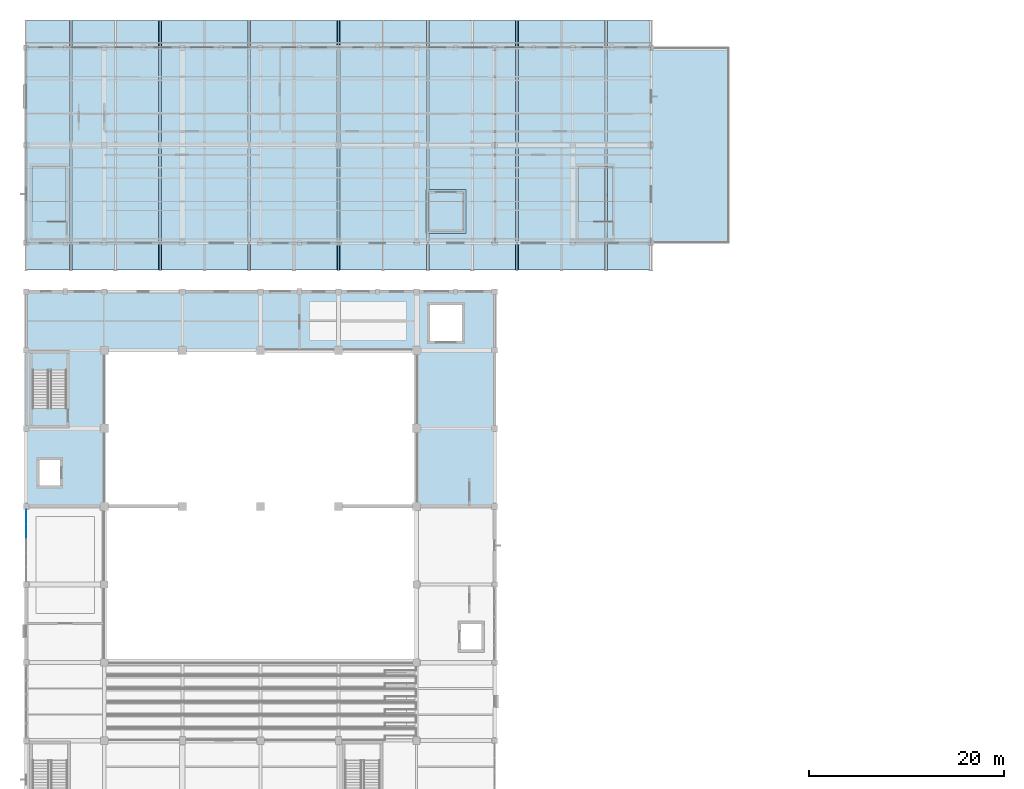
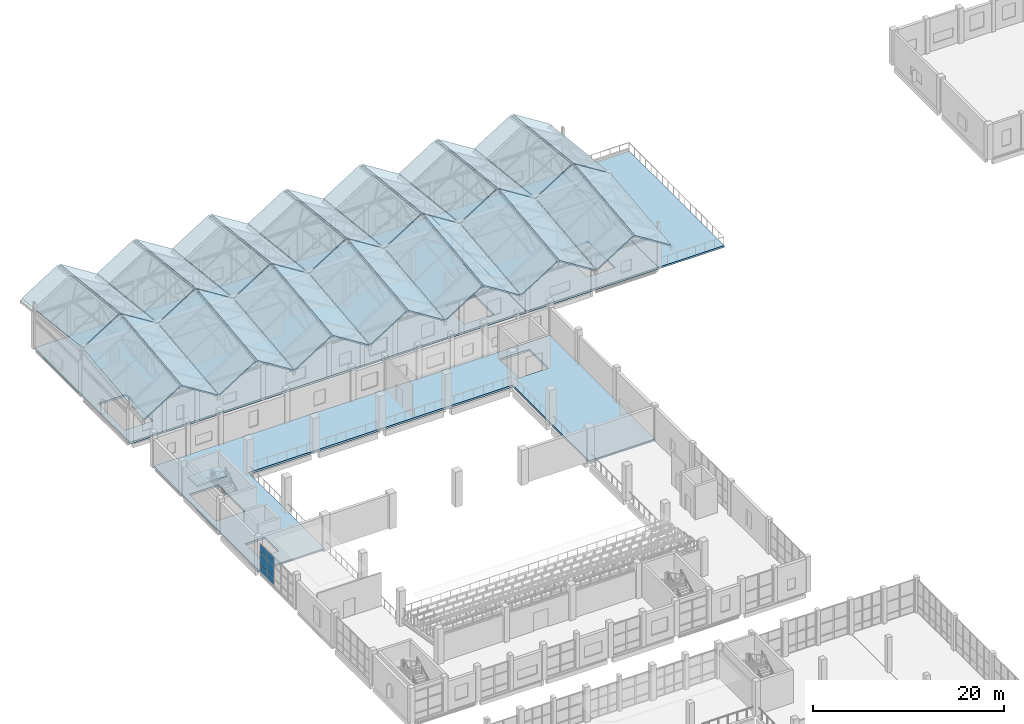
# One storey, part 123 of 183: 34 slabs, 6 plates, 2 elements without a shape of their own.
"""IFC4 building model written with IfcOpenShell, lengths in metres."""

from ifc_helpers import new_model, si_unit, direction, frame, origin, origin_2d, place, context, subcontext, project, spatial, polyline, rectangle, outline, extrude, material, layer, layer_set, type_object, element, aggregate, save


model = new_model("IFC4")

# Units and contexts
model_context = context("Model", 3, precision=1e-05, world=origin(), true_north=direction((0.0, 1.0)))
body_context = subcontext(model_context, "Body", "Model", "MODEL_VIEW")
ifc_project = project(units=[si_unit("LENGTHUNIT", "METRE"), si_unit("AREAUNIT", "SQUARE_METRE"), si_unit("VOLUMEUNIT", "CUBIC_METRE"), si_unit("PLANEANGLEUNIT", "RADIAN"), si_unit("MASSUNIT", "GRAM", prefix="KILO")], contexts=[model_context])

# Site, building, storey
site_placement = place(None, origin())
site = spatial("IfcSite", under=ifc_project, at=site_placement, CompositionType="ELEMENT")
building_placement = place(site_placement, origin())
building = spatial("IfcBuilding", under=site, at=building_placement, Name="Luwemba Playhouse", CompositionType="ELEMENT")
storey_placement = place(building_placement, frame((0.0, 0.0, 4.800048828125)))
storey = spatial("IfcBuildingStorey", under=building, at=storey_placement, Name="L01", CompositionType="ELEMENT", Elevation=4.800048828125)

# Curtain wall, plates
ifc_material_1 = material(Name="Solar-control double glazing", Category="glass")
curtain_wall_type = type_object("IfcCurtainWallType", Name="CW-CW72", PredefinedType="USERDEFINED", material=ifc_material_1)
curtain_wall_placement = place(storey_placement, origin())
curtain_wall = element("IfcCurtainWall", 1, at=curtain_wall_placement, inside=storey, type_object=curtain_wall_type, Name="L01 V1 unitised curtain wall 096", ObjectType="UNITISED GLAZING", PredefinedType="USERDEFINED")
ifc_layer_1 = layer(ifc_material_1, 0.031982421875)
ifc_layer_set_1 = layer_set([ifc_layer_1], Name="Solar-control double glazing")
plate_type = type_object("IfcPlateType", Name="CWP-P3", PredefinedType="CURTAIN_PANEL", material=ifc_layer_set_1)
plate_1_placement = place(storey_placement, frame((4.0, 65.47998046875, 0.06494140625), z_axis=(0.0, 0.0, 1.0), x_axis=(0.0, 1.0, 0.0)))
plate_1 = element("IfcPlate", 2, at=plate_1_placement, type_object=plate_type, Name="CW72 panel 4.1", PredefinedType="CURTAIN_PANEL", context=body_context, shape_type="SweptSolid", body=[
    extrude(rectangle(XDim=1.425048828125, YDim=0.031982421875, at=origin_2d()), origin(), (0.0, 0.0, 1.0), 0.802490234375),
])
plate_2_placement = place(storey_placement, frame((4.0, 65.47998046875, 0.9326171875), z_axis=(0.0, 0.0, 1.0), x_axis=(0.0, 1.0, 0.0)))
plate_2 = element("IfcPlate", 3, at=plate_2_placement, type_object=plate_type, Name="CW72 panel 4.2", PredefinedType="CURTAIN_PANEL", context=body_context, shape_type="SweptSolid", body=[
    extrude(rectangle(XDim=1.425048828125, YDim=0.031982421875, at=origin_2d()), origin(), (0.0, 0.0, 1.0), 1.485107421875),
])
plate_3_placement = place(storey_placement, frame((4.0, 65.47998046875, 2.482421875), z_axis=(0.0, 0.0, 1.0), x_axis=(0.0, 1.0, 0.0)))
plate_3 = element("IfcPlate", 4, at=plate_3_placement, type_object=plate_type, Name="CW72 panel 4.3", PredefinedType="CURTAIN_PANEL", context=body_context, shape_type="SweptSolid", body=[
    extrude(rectangle(XDim=1.425048828125, YDim=0.031982421875, at=origin_2d()), origin(), (0.0, 0.0, 1.0), 1.08740234375),
])
plate_4_placement = place(storey_placement, frame((4.0, 66.9462890625, 0.06494140625), z_axis=(0.0, 0.0, 1.0), x_axis=(0.0, 1.0, 0.0)))
plate_4 = element("IfcPlate", 5, at=plate_4_placement, type_object=plate_type, Name="CW72 panel 5.1", PredefinedType="CURTAIN_PANEL", context=body_context, shape_type="SweptSolid", body=[
    extrude(rectangle(XDim=1.3974609375, YDim=0.031982421875, at=origin_2d()), origin(), (0.0, 0.0, 1.0), 0.802490234375),
])
plate_5_placement = place(storey_placement, frame((4.0, 66.9462890625, 0.9326171875), z_axis=(0.0, 0.0, 1.0), x_axis=(0.0, 1.0, 0.0)))
plate_5 = element("IfcPlate", 6, at=plate_5_placement, type_object=plate_type, Name="CW72 panel 5.2", PredefinedType="CURTAIN_PANEL", context=body_context, shape_type="SweptSolid", body=[
    extrude(rectangle(XDim=1.3974609375, YDim=0.031982421875, at=origin_2d()), origin(), (0.0, 0.0, 1.0), 1.485107421875),
])
plate_6_placement = place(storey_placement, frame((4.0, 66.9462890625, 2.482421875), z_axis=(0.0, 0.0, 1.0), x_axis=(0.0, 1.0, 0.0)))
plate_6 = element("IfcPlate", 7, at=plate_6_placement, type_object=plate_type, Name="CW72 panel 5.3", PredefinedType="CURTAIN_PANEL", context=body_context, shape_type="SweptSolid", body=[
    extrude(rectangle(XDim=1.3974609375, YDim=0.031982421875, at=origin_2d()), origin(), (0.0, 0.0, 1.0), 1.08740234375),
])
aggregate(curtain_wall, [plate_1, plate_2, plate_3, plate_4, plate_5, plate_6])

# Slabs
ifc_material_2 = material(Name="Concrete C40/50", Category="concrete")
ifc_layer_2 = layer(ifc_material_2, 0.25)
ifc_layer_set_2 = layer_set([ifc_layer_2], Name="Concrete C40/50")
slab_type_1 = type_object("IfcSlabType", Name="SLB-FLR-250", PredefinedType="FLOOR", material=ifc_layer_set_2)
slab_1_placement = place(storey_placement, frame((0.0, 0.0, -0.25)))
element("IfcSlab", 8, at=slab_1_placement, inside=storey, type_object=slab_type_1, Name="L01 V2 structural floor slab", PredefinedType="FLOOR", context=body_context, shape_type="SweptSolid", body=[
    extrude(outline(polyline([(4.0, 90.0), (52.0, 90.0), (52.0, 68.0), (44.0, 68.0), (44.0, 84.0), (12.0, 84.0), (12.0, 68.0), (4.0, 68.0), (4.0, 90.0)]), holes=[polyline([(5.199951171875, 70.0), (7.60009765625, 70.0), (7.60009765625, 72.89990234375), (5.199951171875, 72.89990234375), (5.199951171875, 70.0)]), polyline([(8.14990234375, 78.0400390625), (8.14990234375, 83.659912109375), (4.64990234375, 83.659912109375), (4.64990234375, 78.0400390625), (8.14990234375, 78.0400390625)]), polyline([(45.199951171875, 84.800048828125), (48.800048828125, 84.800048828125), (48.800048828125, 88.800048828125), (45.199951171875, 88.800048828125), (45.199951171875, 84.800048828125)])]), origin(), (0.0, 0.0, 1.0), 0.25),
])
slab_2_placement = place(storey_placement, frame((0.0, 0.0, -0.25)))
element("IfcSlab", 9, at=slab_2_placement, inside=storey, type_object=slab_type_1, Name="L01 V6W structural floor slab", PredefinedType="FLOOR", context=body_context, shape_type="SweptSolid", body=[
    extrude(outline(polyline([(51.969970703125, 115.0), (51.969970703125, 95.0), (4.0, 95.0), (4.0, 115.0), (51.969970703125, 115.0)]), holes=[polyline([(48.800048828125, 96.199951171875), (48.800048828125, 100.199951171875), (45.199951171875, 100.199951171875), (45.199951171875, 96.199951171875), (48.800048828125, 96.199951171875)]), polyline([(8.050048828125, 97.199951171875), (8.050048828125, 102.820068359375), (4.64990234375, 102.820068359375), (4.64990234375, 97.199951171875), (8.050048828125, 97.199951171875)])]), origin(), (0.0, 0.0, 1.0), 0.25),
])
slab_3_placement = place(storey_placement, frame((0.0, 0.0, -0.25)))
element("IfcSlab", 10, at=slab_3_placement, inside=storey, type_object=slab_type_1, Name="L01 V6W structural floor slab-MJ", PredefinedType="FLOOR", context=body_context, shape_type="SweptSolid", body=[
    extrude(outline(polyline([(68.0, 115.0), (68.0, 95.0), (52.030029296875, 95.0), (52.030029296875, 115.0), (68.0, 115.0)]), holes=[polyline([(64.050048828125, 97.199951171875), (64.050048828125, 102.820068359375), (60.64990234375, 102.820068359375), (60.64990234375, 97.199951171875), (64.050048828125, 97.199951171875)])]), origin(), (0.0, 0.0, 1.0), 0.25),
])

# Stair, slab
stair_type = type_object("IfcStairType", Name="STR-DL-04", PredefinedType="HALF_TURN_STAIR", material=ifc_material_2)
stair_placement = place(storey_placement, origin())
stair = element("IfcStair", 11, at=stair_placement, inside=storey, type_object=stair_type, Name="L01 Stage House West Escape Stair", PredefinedType="HALF_TURN_STAIR")
ifc_layer_3 = layer(ifc_material_2, 0.215087890625)
ifc_layer_set_3 = layer_set([ifc_layer_3], Name="Concrete C40/50")
slab_type_2 = type_object("IfcSlabType", Name="SLB-LND-215", PredefinedType="LANDING", material=ifc_layer_set_3)
slab_4_placement = place(storey_placement, frame((0.0, 0.0, 2.050048828125)))
slab_4 = element("IfcSlab", 12, at=slab_4_placement, type_object=slab_type_2, Name="ST-03 landing 1", PredefinedType="LANDING", context=body_context, shape_type="SweptSolid", body=[
    extrude(outline(polyline([(8.2900390625, 81.820068359375), (4.510009765625, 81.820068359375), (4.510009765625, 83.800048828125), (8.2900390625, 83.800048828125), (8.2900390625, 81.820068359375)])), origin(), (0.0, 0.0, 1.0), 0.199951171875),
])
aggregate(stair, [slab_4])

# Slabs
ifc_material_3 = material(Name="Concrete C32/40", Category="concrete")
ifc_layer_4 = layer(ifc_material_3, 0.179931640625)
ifc_layer_set_4 = layer_set([ifc_layer_4], Name="Concrete C32/40")
slab_type_3 = type_object("IfcSlabType", Name="SLB-ROOF-180", PredefinedType="ROOF", material=ifc_layer_set_4)
slab_5_placement = place(storey_placement, frame((4.0400390625, 92.199951171875, 4.571044921875), z_axis=(-0.530454418523, -0.094497520021, 0.842430014054), x_axis=(0.846216846564, -1.870553e-06, 0.53283867032)))
element("IfcSlab", 13, at=slab_5_placement, inside=storey, type_object=slab_type_3, Name="RF-V6W pleated roof facet 1S", PredefinedType="ROOF", context=body_context, shape_type="SweptSolid", body=[
    extrude(outline(polyline([(0.0, 0.0), (5.195105371132732, 0.0), (5.9566141516511175, 12.797267909419737), (0.7613786929523892, 12.797248386376367), (0.0, 0.0)])), origin(), (0.0, 0.0, -1.0), 0.179931640625),
])
slab_6_placement = place(storey_placement, frame((4.0400390625, 105.06005859375, 6.0), z_axis=(-0.530454418523, 0.094497520021, 0.842430014054), x_axis=(0.846216657347, -1.870506e-06, 0.53283897082)))
element("IfcSlab", 14, at=slab_6_placement, inside=storey, type_object=slab_type_3, Name="RF-V6W pleated roof facet 1N", PredefinedType="ROOF", context=body_context, shape_type="SweptSolid", body=[
    extrude(outline(polyline([(0.0, 0.0), (5.195235458735411, 0.0), (4.43367858769438, 12.797265047674873), (-0.7614267834016708, 12.797245525120356), (0.0, 0.0)])), origin(), (0.0, 0.0, -1.0), 0.179931640625),
])
slab_7_placement = place(storey_placement, frame((8.706298828125, 92.199951171875, 7.339111328125), z_axis=(0.530433249982, -0.094498996575, 0.842443177288), x_axis=(0.846230188104, 1.870537e-06, -0.532817481637)))
element("IfcSlab", 15, at=slab_7_placement, inside=storey, type_object=slab_type_3, Name="RF-V6W pleated roof facet 2S", PredefinedType="ROOF", context=body_context, shape_type="SweptSolid", body=[
    extrude(outline(polyline([(0.0, 0.0), (5.195311971234588, 5.551115123125783e-17), (4.433963555754797, 12.797250187713786), (-0.7614784978727696, 12.797269711369998), (0.0, 0.0)])), origin(), (0.0, 0.0, -1.0), 0.179931640625),
])
slab_8_placement = place(storey_placement, frame((8.706298828125, 105.06005859375, 8.768310546875), z_axis=(0.530433249982, 0.094498996575, 0.842443177288), x_axis=(0.846229998894, 1.87049e-06, -0.532817782144)))
element("IfcSlab", 16, at=slab_8_placement, inside=storey, type_object=slab_type_3, Name="RF-V6W pleated roof facet 2N", PredefinedType="ROOF", context=body_context, shape_type="SweptSolid", body=[
    extrude(outline(polyline([(0.0, 0.0), (5.19544205366425, 0.0), (5.956838559197323, 12.797247326595517), (0.7615265879994181, 12.7972668497629), (0.0, 0.0)])), origin(), (0.0, 0.0, -1.0), 0.179931640625),
])
slab_9_placement = place(storey_placement, frame((13.182861328125, 92.199951171875, 4.571044921875), z_axis=(-0.530416035463, -0.094508169057, 0.842452987), x_axis=(0.846240687466, 0.0, 0.532800806002)))
element("IfcSlab", 17, at=slab_9_placement, inside=storey, type_object=slab_type_3, Name="RF-V6W pleated roof facet 3S", PredefinedType="ROOF", context=body_context, shape_type="SweptSolid", body=[
    extrude(outline(polyline([(0.0, 0.0), (5.195311972252382, 0.0), (5.956790467940387, 12.79726971191319), (0.7614784956880039, 12.797269711913192), (0.0, 0.0)])), origin(), (0.0, 0.0, -1.0), 0.179931640625),
])
slab_10_placement = place(storey_placement, frame((13.182861328125, 105.06005859375, 6.000244140625), z_axis=(-0.530416035463, 0.094508169057, 0.842452987), x_axis=(0.846240687466, 0.0, 0.532800806002)))
element("IfcSlab", 18, at=slab_10_placement, inside=storey, type_object=slab_type_3, Name="RF-V6W pleated roof facet 3N", PredefinedType="ROOF", context=body_context, shape_type="SweptSolid", body=[
    extrude(outline(polyline([(0.0, 0.0), (5.195311972252382, 0.0), (4.433833476564378, 12.797269711913192), (-0.7614784956880039, 12.797269711913192), (0.0, 0.0)])), origin(), (0.0, 0.0, -1.0), 0.179931640625),
])
slab_11_placement = place(storey_placement, frame((17.849365234375, 92.199951171875, 7.339111328125), z_axis=(0.530454418523, -0.094497520021, 0.842430014054), x_axis=(0.846216846564, 1.870553e-06, -0.53283867032)))
element("IfcSlab", 19, at=slab_11_placement, inside=storey, type_object=slab_type_3, Name="RF-V6W pleated roof facet 4S", PredefinedType="ROOF", context=body_context, shape_type="SweptSolid", body=[
    extrude(outline(polyline([(0.0, 0.0), (5.195105371132732, 0.0), (4.433726678180343, 12.797248386376367), (-0.7615087805183852, 12.797267909419737), (0.0, 0.0)])), origin(), (0.0, 0.0, -1.0), 0.179931640625),
])
slab_12_placement = place(storey_placement, frame((17.849365234375, 105.06005859375, 8.768310546875), z_axis=(0.530454418523, 0.094497520021, 0.842430014054), x_axis=(0.846216657347, 1.870506e-06, -0.53283897082)))
element("IfcSlab", 20, at=slab_12_placement, inside=storey, type_object=slab_type_3, Name="RF-V6W pleated roof facet 4N", PredefinedType="ROOF", context=body_context, shape_type="SweptSolid", body=[
    extrude(outline(polyline([(0.0, 0.0), (5.195235458735411, 0.0), (5.956662242137082, 12.797245525120358), (0.7615568710410311, 12.797265047674873), (0.0, 0.0)])), origin(), (0.0, 0.0, -1.0), 0.179931640625),
])
slab_13_placement = place(storey_placement, frame((22.32568359375, 92.199951171875, 4.571044921875), z_axis=(-0.530433249982, -0.094498996575, 0.842443177288), x_axis=(0.846230188104, -1.870537e-06, 0.532817481637)))
element("IfcSlab", 21, at=slab_13_placement, inside=storey, type_object=slab_type_3, Name="RF-V6W pleated roof facet 5S", PredefinedType="ROOF", context=body_context, shape_type="SweptSolid", body=[
    extrude(outline(polyline([(0.0, 0.0), (5.195311971234588, -5.551115123125783e-17), (5.956790469107357, 12.79726971137), (0.7613484154797917, 12.797250187713788), (0.0, 0.0)])), origin(), (0.0, 0.0, -1.0), 0.179931640625),
])
slab_14_placement = place(storey_placement, frame((22.32568359375, 105.06005859375, 6.0), z_axis=(-0.530433249982, 0.094498996575, 0.842443177288), x_axis=(0.846229998894, -1.87049e-06, 0.532817782144)))
element("IfcSlab", 22, at=slab_14_placement, inside=storey, type_object=slab_type_3, Name="RF-V6W pleated roof facet 5N", PredefinedType="ROOF", context=body_context, shape_type="SweptSolid", body=[
    extrude(outline(polyline([(0.0, 0.0), (5.19544205366425, 0.0), (4.433915465664832, 12.7972668497629), (-0.7613965055330743, 12.797247326595517), (0.0, 0.0)])), origin(), (0.0, 0.0, -1.0), 0.179931640625),
])
slab_15_placement = place(storey_placement, frame((26.9921875, 92.199951171875, 7.339111328125), z_axis=(0.530433249982, -0.094498996575, 0.842443177288), x_axis=(0.846230188104, 1.870537e-06, -0.532817481637)))
element("IfcSlab", 23, at=slab_15_placement, inside=storey, type_object=slab_type_3, Name="RF-V6W pleated roof facet 6S", PredefinedType="ROOF", context=body_context, shape_type="SweptSolid", body=[
    extrude(outline(polyline([(0.0, 0.0), (5.195311971234588, 5.551115123125783e-17), (4.433963555754797, 12.797250187713786), (-0.7614784978727696, 12.797269711369998), (0.0, 0.0)])), origin(), (0.0, 0.0, -1.0), 0.179931640625),
])
slab_16_placement = place(storey_placement, frame((26.9921875, 105.06005859375, 8.768310546875), z_axis=(0.530433249982, 0.094498996575, 0.842443177288), x_axis=(0.846229998894, 1.87049e-06, -0.532817782144)))
element("IfcSlab", 24, at=slab_16_placement, inside=storey, type_object=slab_type_3, Name="RF-V6W pleated roof facet 6N", PredefinedType="ROOF", context=body_context, shape_type="SweptSolid", body=[
    extrude(outline(polyline([(0.0, 0.0), (5.19544205366425, 0.0), (5.956838559197323, 12.797247326595517), (0.7615265879994181, 12.7972668497629), (0.0, 0.0)])), origin(), (0.0, 0.0, -1.0), 0.179931640625),
])
slab_17_placement = place(storey_placement, frame((31.468505859375, 92.199951171875, 4.571044921875), z_axis=(-0.530433249982, -0.094498996575, 0.842443177288), x_axis=(0.846230188104, -1.870537e-06, 0.532817481637)))
element("IfcSlab", 25, at=slab_17_placement, inside=storey, type_object=slab_type_3, Name="RF-V6W pleated roof facet 7S", PredefinedType="ROOF", context=body_context, shape_type="SweptSolid", body=[
    extrude(outline(polyline([(0.0, 0.0), (5.195311971234588, -5.551115123125783e-17), (5.956790469107357, 12.79726971137), (0.7613484154797917, 12.797250187713788), (0.0, 0.0)])), origin(), (0.0, 0.0, -1.0), 0.179931640625),
])
slab_18_placement = place(storey_placement, frame((31.468505859375, 105.06005859375, 6.0), z_axis=(-0.530433249982, 0.094498996575, 0.842443177288), x_axis=(0.846229998894, -1.87049e-06, 0.532817782144)))
element("IfcSlab", 26, at=slab_18_placement, inside=storey, type_object=slab_type_3, Name="RF-V6W pleated roof facet 7N", PredefinedType="ROOF", context=body_context, shape_type="SweptSolid", body=[
    extrude(outline(polyline([(0.0, 0.0), (5.19544205366425, 0.0), (4.433915465664832, 12.7972668497629), (-0.7613965055330743, 12.797247326595517), (0.0, 0.0)])), origin(), (0.0, 0.0, -1.0), 0.179931640625),
])
slab_19_placement = place(storey_placement, frame((36.135009765625, 92.199951171875, 7.339111328125), z_axis=(0.530433249982, -0.094498996575, 0.842443177288), x_axis=(0.846230188104, 1.870537e-06, -0.532817481637)))
element("IfcSlab", 27, at=slab_19_placement, inside=storey, type_object=slab_type_3, Name="RF-V6W pleated roof facet 8S", PredefinedType="ROOF", context=body_context, shape_type="SweptSolid", body=[
    extrude(outline(polyline([(0.0, 0.0), (5.195311971234588, 5.551115123125783e-17), (4.433963555754797, 12.797250187713786), (-0.7614784978727696, 12.797269711369998), (0.0, 0.0)])), origin(), (0.0, 0.0, -1.0), 0.179931640625),
])
slab_20_placement = place(storey_placement, frame((36.135009765625, 105.06005859375, 8.768310546875), z_axis=(0.530433249982, 0.094498996575, 0.842443177288), x_axis=(0.846229998894, 1.87049e-06, -0.532817782144)))
element("IfcSlab", 28, at=slab_20_placement, inside=storey, type_object=slab_type_3, Name="RF-V6W pleated roof facet 8N", PredefinedType="ROOF", context=body_context, shape_type="SweptSolid", body=[
    extrude(outline(polyline([(0.0, 0.0), (5.19544205366425, 0.0), (5.956838559197323, 12.797247326595517), (0.7615265879994181, 12.7972668497629), (0.0, 0.0)])), origin(), (0.0, 0.0, -1.0), 0.179931640625),
])
slab_21_placement = place(storey_placement, frame((40.611328125, 92.199951171875, 4.571044921875), z_axis=(-0.530433249982, -0.094498996575, 0.842443177288), x_axis=(0.846230188104, -1.870537e-06, 0.532817481637)))
element("IfcSlab", 29, at=slab_21_placement, inside=storey, type_object=slab_type_3, Name="RF-V6W pleated roof facet 9S", PredefinedType="ROOF", context=body_context, shape_type="SweptSolid", body=[
    extrude(outline(polyline([(0.0, 0.0), (5.195311971234588, -5.551115123125783e-17), (5.956790469107357, 12.79726971137), (0.7613484154797917, 12.797250187713788), (0.0, 0.0)])), origin(), (0.0, 0.0, -1.0), 0.179931640625),
])
slab_22_placement = place(storey_placement, frame((40.611328125, 105.06005859375, 6.0), z_axis=(-0.530433249982, 0.094498996575, 0.842443177288), x_axis=(0.846229998894, -1.87049e-06, 0.532817782144)))
element("IfcSlab", 30, at=slab_22_placement, inside=storey, type_object=slab_type_3, Name="RF-V6W pleated roof facet 9N", PredefinedType="ROOF", context=body_context, shape_type="SweptSolid", body=[
    extrude(outline(polyline([(0.0, 0.0), (5.19544205366425, 0.0), (4.433915465664832, 12.7972668497629), (-0.7613965055330743, 12.797247326595517), (0.0, 0.0)])), origin(), (0.0, 0.0, -1.0), 0.179931640625),
])
slab_23_placement = place(storey_placement, frame((45.27783203125, 92.199951171875, 7.339111328125), z_axis=(0.530433249982, -0.094498996575, 0.842443177288), x_axis=(0.846230188104, 1.870537e-06, -0.532817481637)))
element("IfcSlab", 31, at=slab_23_placement, inside=storey, type_object=slab_type_3, Name="RF-V6W pleated roof facet 10S", PredefinedType="ROOF", context=body_context, shape_type="SweptSolid", body=[
    extrude(outline(polyline([(0.0, 0.0), (5.195311971234588, 5.551115123125783e-17), (4.433963555754797, 12.797250187713786), (-0.7614784978727696, 12.797269711369998), (0.0, 0.0)])), origin(), (0.0, 0.0, -1.0), 0.179931640625),
])
slab_24_placement = place(storey_placement, frame((45.27783203125, 105.06005859375, 8.768310546875), z_axis=(0.530433249982, 0.094498996575, 0.842443177288), x_axis=(0.846229998894, 1.87049e-06, -0.532817782144)))
element("IfcSlab", 32, at=slab_24_placement, inside=storey, type_object=slab_type_3, Name="RF-V6W pleated roof facet 10N", PredefinedType="ROOF", context=body_context, shape_type="SweptSolid", body=[
    extrude(outline(polyline([(0.0, 0.0), (5.19544205366425, 0.0), (5.956838559197323, 12.797247326595517), (0.7615265879994181, 12.7972668497629), (0.0, 0.0)])), origin(), (0.0, 0.0, -1.0), 0.179931640625),
])
slab_25_placement = place(storey_placement, frame((49.75439453125, 92.199951171875, 4.571044921875), z_axis=(-0.530454418523, -0.094497520021, 0.842430014054), x_axis=(0.846216846564, -1.870553e-06, 0.53283867032)))
element("IfcSlab", 33, at=slab_25_placement, inside=storey, type_object=slab_type_3, Name="RF-V6W pleated roof facet 11S", PredefinedType="ROOF", context=body_context, shape_type="SweptSolid", body=[
    extrude(outline(polyline([(0.0, 0.0), (5.195105371132732, 0.0), (5.9566141516511175, 12.797267909419737), (0.7613786929523892, 12.797248386376367), (0.0, 0.0)])), origin(), (0.0, 0.0, -1.0), 0.179931640625),
])
slab_26_placement = place(storey_placement, frame((49.75439453125, 105.06005859375, 6.0), z_axis=(-0.530454418523, 0.094497520021, 0.842430014054), x_axis=(0.846216657347, -1.870506e-06, 0.53283897082)))
element("IfcSlab", 34, at=slab_26_placement, inside=storey, type_object=slab_type_3, Name="RF-V6W pleated roof facet 11N", PredefinedType="ROOF", context=body_context, shape_type="SweptSolid", body=[
    extrude(outline(polyline([(0.0, 0.0), (5.195235458735411, 0.0), (4.43367858769438, 12.797265047674873), (-0.7614267834016708, 12.797245525120356), (0.0, 0.0)])), origin(), (0.0, 0.0, -1.0), 0.179931640625),
])
slab_27_placement = place(storey_placement, frame((54.420654296875, 92.199951171875, 7.339111328125), z_axis=(0.530416035463, -0.094508169057, 0.842452987), x_axis=(0.846240687466, 0.0, -0.532800806002)))
element("IfcSlab", 35, at=slab_27_placement, inside=storey, type_object=slab_type_3, Name="RF-V6W pleated roof facet 12S", PredefinedType="ROOF", context=body_context, shape_type="SweptSolid", body=[
    extrude(outline(polyline([(0.0, 0.0), (5.195311972252382, 0.0), (4.433833476564378, 12.797269711913192), (-0.7614784956880039, 12.797269711913192), (0.0, 0.0)])), origin(), (0.0, 0.0, -1.0), 0.179931640625),
])
slab_28_placement = place(storey_placement, frame((54.420654296875, 105.06005859375, 8.768310546875), z_axis=(0.530416035463, 0.094508169057, 0.842452987), x_axis=(0.846240687466, 0.0, -0.532800806002)))
element("IfcSlab", 36, at=slab_28_placement, inside=storey, type_object=slab_type_3, Name="RF-V6W pleated roof facet 12N", PredefinedType="ROOF", context=body_context, shape_type="SweptSolid", body=[
    extrude(outline(polyline([(0.0, 0.0), (5.195311972252382, 0.0), (5.956790467940387, 12.79726971191319), (0.7614784956880039, 12.797269711913192), (0.0, 0.0)])), origin(), (0.0, 0.0, -1.0), 0.179931640625),
])
slab_29_placement = place(storey_placement, frame((58.897216796875, 92.199951171875, 4.571044921875), z_axis=(-0.530433249982, -0.094498996575, 0.842443177288), x_axis=(0.846230188104, -1.870537e-06, 0.532817481637)))
element("IfcSlab", 37, at=slab_29_placement, inside=storey, type_object=slab_type_3, Name="RF-V6W pleated roof facet 13S", PredefinedType="ROOF", context=body_context, shape_type="SweptSolid", body=[
    extrude(outline(polyline([(0.0, 0.0), (5.195311971234588, -5.551115123125783e-17), (5.956790469107357, 12.79726971137), (0.7613484154797917, 12.797250187713788), (0.0, 0.0)])), origin(), (0.0, 0.0, -1.0), 0.179931640625),
])
slab_30_placement = place(storey_placement, frame((58.897216796875, 105.06005859375, 6.0), z_axis=(-0.530433249982, 0.094498996575, 0.842443177288), x_axis=(0.846229998894, -1.87049e-06, 0.532817782144)))
element("IfcSlab", 38, at=slab_30_placement, inside=storey, type_object=slab_type_3, Name="RF-V6W pleated roof facet 13N", PredefinedType="ROOF", context=body_context, shape_type="SweptSolid", body=[
    extrude(outline(polyline([(0.0, 0.0), (5.19544205366425, 0.0), (4.433915465664832, 12.7972668497629), (-0.7613965055330743, 12.797247326595517), (0.0, 0.0)])), origin(), (0.0, 0.0, -1.0), 0.179931640625),
])
slab_31_placement = place(storey_placement, frame((63.563720703125, 92.199951171875, 7.339111328125), z_axis=(0.530454418523, -0.094497520021, 0.842430014054), x_axis=(0.846216846564, 1.870553e-06, -0.53283867032)))
element("IfcSlab", 39, at=slab_31_placement, inside=storey, type_object=slab_type_3, Name="RF-V6W pleated roof facet 14S", PredefinedType="ROOF", context=body_context, shape_type="SweptSolid", body=[
    extrude(outline(polyline([(0.0, 0.0), (5.195105371132732, 0.0), (4.433726678180343, 12.797248386376367), (-0.7615087805183852, 12.797267909419737), (0.0, 0.0)])), origin(), (0.0, 0.0, -1.0), 0.179931640625),
])
slab_32_placement = place(storey_placement, frame((63.563720703125, 105.06005859375, 8.768310546875), z_axis=(0.530454418523, 0.094497520021, 0.842430014054), x_axis=(0.846216657347, 1.870506e-06, -0.53283897082)))
element("IfcSlab", 40, at=slab_32_placement, inside=storey, type_object=slab_type_3, Name="RF-V6W pleated roof facet 14N", PredefinedType="ROOF", context=body_context, shape_type="SweptSolid", body=[
    extrude(outline(polyline([(0.0, 0.0), (5.195235458735411, 0.0), (5.956662242137082, 12.797245525120358), (0.7615568710410311, 12.797265047674873), (0.0, 0.0)])), origin(), (0.0, 0.0, -1.0), 0.179931640625),
])
ifc_layer_5 = layer(ifc_material_2, 0.22998046875)
ifc_layer_set_5 = layer_set([ifc_layer_5], Name="Concrete C40/50")
slab_type_4 = type_object("IfcSlabType", Name="SLB-UPP-230", PredefinedType="FLOOR", material=ifc_layer_set_5)
slab_33_placement = place(storey_placement, frame((0.0, 0.0, -0.22998046875)))
element("IfcSlab", 41, at=slab_33_placement, inside=storey, type_object=slab_type_4, Name="L01 Workshop Courtyard Terrace", PredefinedType="FLOOR", context=body_context, shape_type="SweptSolid", body=[
    extrude(outline(polyline([(68.0, 95.0), (76.0, 95.0), (76.0, 115.0), (68.0, 115.0), (68.0, 95.0)])), origin(), (0.0, 0.0, 1.0), 0.22998046875),
])
slab_34_placement = place(storey_placement, frame((0.0, 0.0, 4.02001953125)))
element("IfcSlab", 42, at=slab_34_placement, inside=storey, type_object=slab_type_4, Name="Lift LF-G2 overrun cap slab", PredefinedType="FLOOR", context=body_context, shape_type="SweptSolid", body=[
    extrude(outline(polyline([(44.949951171875, 95.949951171875), (49.050048828125, 95.949951171875), (49.050048828125, 100.449951171875), (44.949951171875, 100.449951171875), (44.949951171875, 95.949951171875)])), origin(), (0.0, 0.0, 1.0), 0.22998046875),
])

save(model, "model.ifc")
